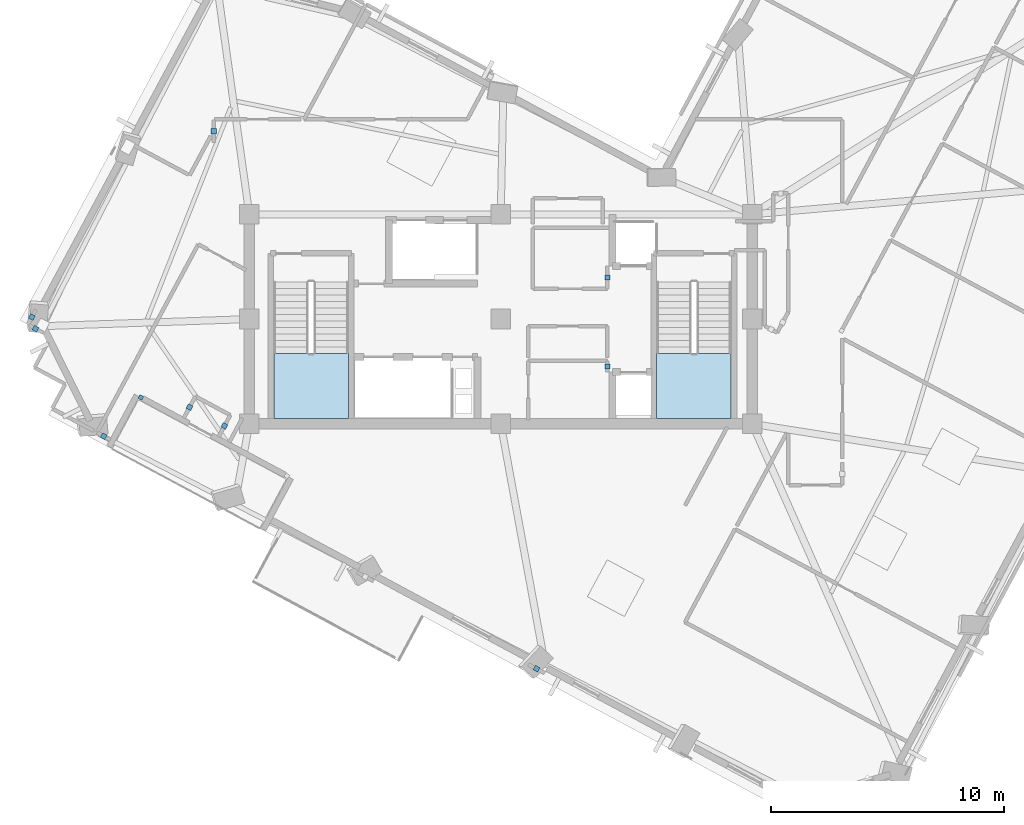
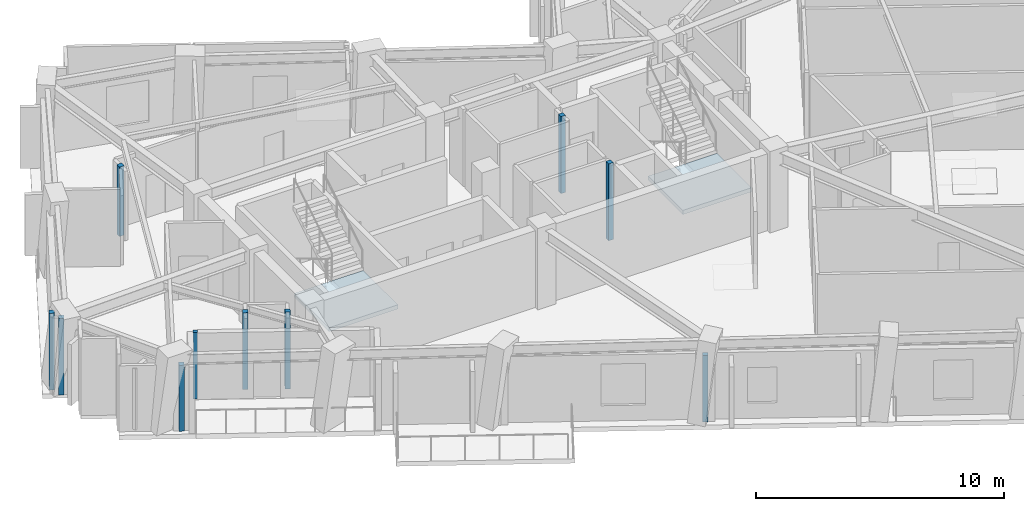
# One storey, part 3 of 14: 10 plates, 2 slabs, 2 elements without a shape of their own.
"""IFC4 building model written with IfcOpenShell, lengths in metres."""

from ifc_helpers import new_model, si_unit, direction, frame, origin, origin_2d, place, context, subcontext, project, spatial, polyline, rectangle, outline, extrude, material, layer, layer_set, type_object, element, aggregate, save


model = new_model("IFC4")

# Units and contexts
model_context = context("Model", 3, precision=1e-05, world=origin(), true_north=direction((0.0, 1.0)))
body_context = subcontext(model_context, "Body", "Model", "MODEL_VIEW")
ifc_project = project(units=[si_unit("LENGTHUNIT", "METRE"), si_unit("AREAUNIT", "SQUARE_METRE"), si_unit("VOLUMEUNIT", "CUBIC_METRE"), si_unit("PLANEANGLEUNIT", "RADIAN"), si_unit("MASSUNIT", "GRAM", prefix="KILO")], contexts=[model_context])

# Site, building, storey
site_placement = place(None, origin())
site = spatial("IfcSite", under=ifc_project, at=site_placement, CompositionType="ELEMENT")
building_placement = place(site_placement, origin())
building = spatial("IfcBuilding", under=site, at=building_placement, Name="Gaonmaruhae Medical Tower", CompositionType="ELEMENT")
storey_placement = place(building_placement, frame((0.0, 0.0, 288.60009765625)))
storey = spatial("IfcBuildingStorey", under=building, at=storey_placement, Name="L69", CompositionType="ELEMENT", Elevation=288.60009765625)

# Plates
ifc_material_1 = material(Name="Anodised aluminium 6063-T6", Category="aluminium")
ifc_layer_1 = layer(ifc_material_1, 0.011962890625)
ifc_layer_set_1 = layer_set([ifc_layer_1], Name="Anodised aluminium 6063-T6")
plate_type = type_object("IfcPlateType", Name="PP-01 Interior Partition Corner Stiffener Plate", PredefinedType="SHEET", material=ifc_layer_set_1)
plate_1_placement = place(storey_placement, frame((9.340087890625, 8.932861328125, 0.0), z_axis=(0.0, 0.0, 1.0), x_axis=(-0.880890738205, 0.473319667185, 0.0)))
element("IfcPlate", 1, at=plate_1_placement, inside=storey, type_object=plate_type, Name="L69 Partition End Jamb Post Plate PLT-L69-ENDP-TERB-1", PredefinedType="SHEET", context=body_context, shape_type="SweptSolid", body=[
    extrude(rectangle(XDim=0.179931640625, YDim=0.179931640625, at=origin_2d()), origin(), (0.0, 0.0, 1.0), 3.264892578125),
])
for number, where, z_axis, x_axis, name in (
    (2, (29.3798828125, 10.260009765625, 0.0), (0.0, 0.0, 1.0), (0.0, -1.0, 0.0), "L69 Partition Corner Stiffener Plate PLT-L69-JGP-PW003"),
    (3, (29.3798828125, 14.090087890625, 0.0), (0.0, 0.0, 1.0), (0.0, -1.0, 0.0), "L69 Partition Corner Stiffener Plate PLT-L69-JGP-PW009"),
):
    element("IfcPlate", number, at=place(storey_placement, frame(where, z_axis=z_axis, x_axis=x_axis)), inside=storey, type_object=plate_type, Name=name, PredefinedType="SHEET", context=body_context, shape_type="SweptSolid", body=[
        extrude(rectangle(XDim=0.219970703125, YDim=0.219970703125, at=origin_2d()), origin(), (0.0, 0.0, 1.0), 3.780029296875),
    ])
plate_2_placement = place(storey_placement, frame((26.3359375, -2.719482421875, 0.0), z_axis=(0.0, 0.0, 1.0), x_axis=(-0.880841167456, 0.473411911252, 0.0)))
element("IfcPlate", 4, at=plate_2_placement, inside=storey, type_object=plate_type, Name="L69 Partition Corner Stiffener Plate PLT-L69-JGP-PW044", PredefinedType="SHEET", context=body_context, shape_type="SweptSolid", body=[
    extrude(rectangle(XDim=0.219970703125, YDim=0.219970703125, at=origin_2d()), origin(), (0.0, 0.0, 1.0), 3.264892578125),
])
for number, where, z_axis, x_axis, name in (
    (5, (12.931396484375, 7.70947265625, 0.0), (0.0, 0.0, 1.0), (0.473196667022, 0.880956817511, 0.0), "L69 Partition Corner Stiffener Plate PLT-L69-JGP-PW050"),
    (6, (11.43408203125, 8.514404296875, 0.0), (0.0, 0.0, 1.0), (-0.473934529539, -0.8805600841, 0.0), "L69 Partition Corner Stiffener Plate PLT-L69-JGP-PW052"),
):
    element("IfcPlate", number, at=place(storey_placement, frame(where, z_axis=z_axis, x_axis=x_axis)), inside=storey, type_object=plate_type, Name=name, PredefinedType="SHEET", context=body_context, shape_type="SweptSolid", body=[
        extrude(rectangle(XDim=0.219970703125, YDim=0.219970703125, at=origin_2d()), origin(), (0.0, 0.0, 1.0), 3.780029296875),
    ])
plate_3_placement = place(storey_placement, frame((7.7451171875, 7.26953125, -0.000244140625), z_axis=(0.0, 0.0, 1.0), x_axis=(-0.881014622815, 0.473089034311, 0.0)))
element("IfcPlate", 7, at=plate_3_placement, inside=storey, type_object=plate_type, Name="L69 Partition Corner Stiffener Plate PLT-L69-JGP-PW053", PredefinedType="SHEET", context=body_context, shape_type="SweptSolid", body=[
    extrude(rectangle(XDim=0.219970703125, YDim=0.219970703125, at=origin_2d()), origin(), (0.0, 0.0, 1.0), 3.2451171875),
])
for number, where, z_axis, x_axis, name in (
    (8, (4.81396484375, 11.886474609375, 0.0), (0.0, 0.0, 1.0), (-0.880684129692, 0.473703983209, 0.0), "L69 Partition Corner Stiffener Plate PLT-L69-JGP-PW056"),
    (9, (4.656982421875, 12.386474609375, 0.0), (0.0, 0.0, 1.0), (0.472719954276, 0.88121271259, 0.0), "L69 Partition Corner Stiffener Plate PLT-L69-JGP-PW057"),
):
    element("IfcPlate", number, at=place(storey_placement, frame(where, z_axis=z_axis, x_axis=x_axis)), inside=storey, type_object=plate_type, Name=name, PredefinedType="SHEET", context=body_context, shape_type="SweptSolid", body=[
        extrude(rectangle(XDim=0.219970703125, YDim=0.219970703125, at=origin_2d()), origin(), (0.0, 0.0, 1.0), 3.780029296875),
    ])
plate_4_placement = place(storey_placement, frame((12.469970703125, 20.367919921875, 0.0), z_axis=(0.0, 0.0, 1.0), x_axis=(0.0, -1.0, 0.0)))
element("IfcPlate", 10, at=plate_4_placement, inside=storey, type_object=plate_type, Name="L69 Partition Corner Stiffener Plate PLT-L69-JGP-PW094", PredefinedType="SHEET", context=body_context, shape_type="SweptSolid", body=[
    extrude(rectangle(XDim=0.219970703125, YDim=0.219970703125, at=origin_2d()), origin(), (0.0, 0.0, 1.0), 3.4150390625),
])

# Stair, slab
ifc_material_2 = material(Name="Concrete C40/50", Category="concrete")
stair_type = type_object("IfcStairType", Name="ST-T1 Primary Core Escape Dogleg Stair", PredefinedType="TWO_QUARTER_TURN_STAIR", material=ifc_material_2)
stair_1_placement = place(storey_placement, origin())
stair_1 = element("IfcStair", 11, at=stair_1_placement, inside=storey, type_object=stair_type, Name="L69 Protected Escape Stair ST-01", PredefinedType="TWO_QUARTER_TURN_STAIR")
ifc_layer_2 = layer(ifc_material_2, 0.199951171875)
ifc_layer_set_2 = layer_set([ifc_layer_2], Name="Concrete C40/50")
slab_type = type_object("IfcSlabType", Name="SL-200 Stair & Ramp Intermediate Concrete Landing", PredefinedType="LANDING", material=ifc_layer_set_2)
slab_1_placement = place(storey_placement, frame((0.0, 0.0, 1.7998046875)))
slab_1 = element("IfcSlab", 12, at=slab_1_placement, type_object=slab_type, Name="ST-01 landing 1", PredefinedType="LANDING", context=body_context, shape_type="SweptSolid", body=[
    extrude(outline(polyline([(15.050048828125, 10.820068359375), (15.050048828125, 8.029052734375), (18.25, 8.029052734375), (18.25, 10.820068359375), (15.050048828125, 10.820068359375)])), origin(), (0.0, 0.0, 1.0), 0.2001953125),
])
aggregate(stair_1, [slab_1])

stair_2_placement = place(storey_placement, origin())
stair_2 = element("IfcStair", 13, at=stair_2_placement, inside=storey, type_object=stair_type, Name="L69 Protected Escape Stair ST-02", PredefinedType="TWO_QUARTER_TURN_STAIR")
slab_2_placement = place(storey_placement, frame((0.0, 0.0, 1.7998046875)))
slab_2 = element("IfcSlab", 14, at=slab_2_placement, type_object=slab_type, Name="ST-02 landing 1", PredefinedType="LANDING", context=body_context, shape_type="SweptSolid", body=[
    extrude(outline(polyline([(31.5, 10.820068359375), (31.5, 8.029052734375), (34.699951171875, 8.029052734375), (34.699951171875, 10.820068359375), (31.5, 10.820068359375)])), origin(), (0.0, 0.0, 1.0), 0.2001953125),
])
aggregate(stair_2, [slab_2])

save(model, "model.ifc")
